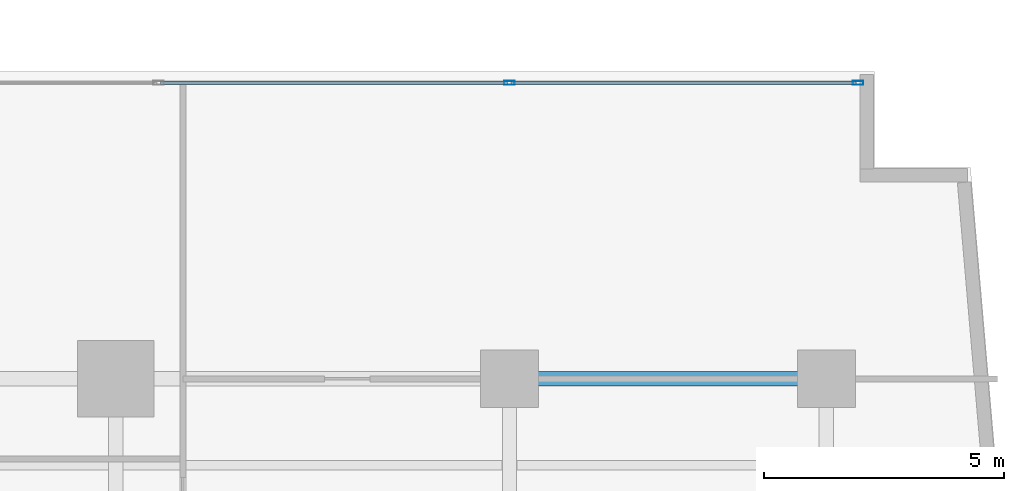
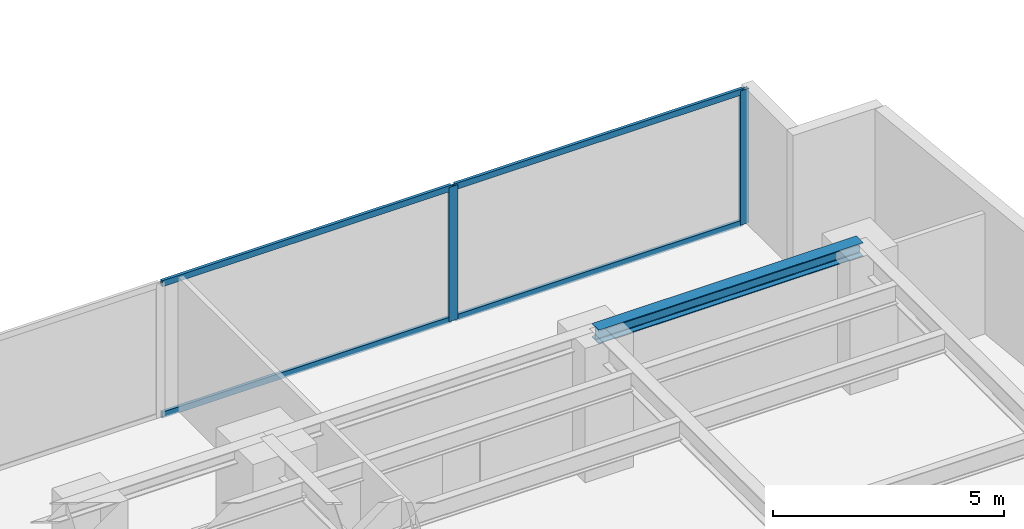
# One storey, part 14 of 31: 6 members, 1 beam, 1 element without a shape of its own.
"""IFC4 building model written with IfcOpenShell, lengths in metres."""

from ifc_helpers import new_model, si_unit, direction, frame, origin, origin_with_axes, origin_2d, place, context, subcontext, project, spatial, hollow_rectangle, i_section, extrude, source, transform, mapped, material, layer, layer_set, material_profile, profile_set, type_object, element, aggregate, save


model = new_model("IFC4")

# Units and contexts
model_context = context("Model", 3, precision=1e-05, world=origin(), true_north=direction((0.0, 1.0)))
body_context = subcontext(model_context, "Body", "Model", "MODEL_VIEW")
ifc_project = project(units=[si_unit("LENGTHUNIT", "METRE"), si_unit("AREAUNIT", "SQUARE_METRE"), si_unit("VOLUMEUNIT", "CUBIC_METRE"), si_unit("PLANEANGLEUNIT", "RADIAN"), si_unit("MASSUNIT", "GRAM", prefix="KILO")], contexts=[model_context])

# Site, building, storey
site_placement = place(None, origin())
site = spatial("IfcSite", under=ifc_project, at=site_placement, CompositionType="ELEMENT")
building_placement = place(site_placement, origin())
building = spatial("IfcBuilding", under=site, at=building_placement, Name="Kolvaren Waterfront Exchange", CompositionType="ELEMENT")
storey_placement = place(building_placement, frame((0.0, 0.0, 67.60009765625)))
storey = spatial("IfcBuildingStorey", under=building, at=storey_placement, Name="L17", CompositionType="ELEMENT", Elevation=67.60009765625)

# Beam
ifc_material_1 = material(Name="Steel S355", Category="steel")
ifc_material_profile_1 = material_profile(ifc_material_1, i_section(OverallWidth=0.300048828125, OverallDepth=0.360107421875, WebThickness=0.012451171875, FlangeThickness=0.0224609375, FilletRadius=0.027099609375, at=origin_2d()), Name="HEB360")
ifc_profile_set_1 = profile_set([ifc_material_profile_1], Name="Steel S355")
beam_type = type_object("IfcBeamType", Name="STR-BM-HEB360", PredefinedType="SPANDREL", material=ifc_profile_set_1)
beam_placement = place(storey_placement, frame((53.800048828125, 17.39990234375, 3.35986328125), z_axis=(1.0, 0.0, 0.0), x_axis=(0.0, 1.0, 0.0)))
element("IfcBeam", 1, at=beam_placement, inside=storey, type_object=beam_type, Name="L17 east-arm spandrel N5", PredefinedType="SPANDREL", context=body_context, shape_type="SweptSolid", body=[
    extrude(i_section(OverallWidth=0.300048828125, OverallDepth=0.360107421875, WebThickness=0.012451171875, FlangeThickness=0.0224609375, FilletRadius=0.027099609375, at=origin_2d()), origin(), (0.0, 0.0, 1.0), 6.599853515625),
])

# Curtain wall, members
ifc_material_2 = material(Name="Anodised bronze aluminium 6063-T6", Category="aluminium")
ifc_layer = layer(ifc_material_2, 0.219970703125, Name="Anodised bronze aluminium 6063-T6")
ifc_layer_set = layer_set([ifc_layer], Name="Anodised bronze aluminium 6063-T6")
curtain_wall_type = type_object("IfcCurtainWallType", Name="ARC-CW-SYS1", PredefinedType="USERDEFINED", material=ifc_layer_set)
curtain_wall_placement = place(storey_placement, origin())
curtain_wall = element("IfcCurtainWall", 2, at=curtain_wall_placement, inside=storey, type_object=curtain_wall_type, Name="L17 stick curtain wall CW1 (CW-L17-EN)", ObjectType="STICK CURTAIN WALL", PredefinedType="USERDEFINED")
ifc_material_3 = material(Name="Anodised aluminium 6063-T6", Category="aluminium")
ifc_material_profile_2 = material_profile(ifc_material_3, hollow_rectangle(XDim=0.080078125, YDim=0.219970703125, WallThickness=0.0048828125, at=origin_2d()), Name="ALU-MUL-220x80x5")
ifc_profile_set_2 = profile_set([ifc_material_profile_2], Name="Anodised aluminium 6063-T6")
member_type_1 = type_object("IfcMemberType", Name="ARC-CWM-220", PredefinedType="MULLION", material=ifc_profile_set_2)
shared_shape_1 = source(origin_with_axes(), body_context, "Body", "SweptSolid", [
    extrude(hollow_rectangle(XDim=0.080078125, YDim=0.219970703125, WallThickness=0.0048828125, at=origin_2d()), origin(), (0.0, 0.0, 1.0), 3.539794921875),
])
member_1_placement = place(storey_placement, frame((53.797607421875, 23.56005859375, 0.0), z_axis=(0.0, 0.0, 1.0), x_axis=(0.0, 1.0, 0.0)))
member_1 = element("IfcMember", 3, at=member_1_placement, type_object=member_type_1, Name="CW1 mullion 4", PredefinedType="MULLION", context=body_context, shape_type="MappedRepresentation", body=[
    mapped(shared_shape_1, transform((0.0, 0.0, 0.0), x_axis=(1.0, 0.0, 0.0), y_axis=(0.0, 1.0, 0.0), z_axis=(0.0, 0.0, 1.0), scale=1.0)),
])
member_2_placement = place(storey_placement, frame((61.06005859375, 23.56005859375, 0.0), z_axis=(0.0, 0.0, 1.0), x_axis=(0.0, 1.0, 0.0)))
member_2 = element("IfcMember", 4, at=member_2_placement, type_object=member_type_1, Name="CW1 mullion 5", PredefinedType="MULLION", context=body_context, shape_type="MappedRepresentation", body=[
    mapped(shared_shape_1, transform((0.0, 0.0, 0.0), x_axis=(1.0, 0.0, 0.0), y_axis=(0.0, 1.0, 0.0), z_axis=(0.0, 0.0, 1.0), scale=1.0)),
])
ifc_material_profile_3 = material_profile(ifc_material_3, hollow_rectangle(XDim=0.074951171875, YDim=0.159912109375, WallThickness=0.00439453125, at=origin_2d()), Name="ALU-TRN-160x75x4.5")
ifc_profile_set_3 = profile_set([ifc_material_profile_3], Name="Anodised aluminium 6063-T6")
member_type_2 = type_object("IfcMemberType", Name="ARC-CWT-160", PredefinedType="USERDEFINED", material=ifc_profile_set_3)
shared_shape_2 = source(origin_with_axes(), body_context, "Body", "SweptSolid", [
    extrude(hollow_rectangle(XDim=0.074951171875, YDim=0.159912109375, WallThickness=0.00439453125, at=origin_2d()), origin(), (0.0, 0.0, 1.0), 7.1826171875),
])
member_3_placement = place(storey_placement, frame((53.83740234375, 23.56005859375, 0.037353515625), z_axis=(1.0, 0.0, 0.0), x_axis=(0.0, 1.0, 0.0)))
member_3 = element("IfcMember", 5, at=member_3_placement, type_object=member_type_2, Name="CW1 transom 4.1", ObjectType="TRANSOM", PredefinedType="USERDEFINED", context=body_context, shape_type="MappedRepresentation", body=[
    mapped(shared_shape_2, transform((0.0, 0.0, 0.0), x_axis=(1.0, 0.0, 0.0), y_axis=(0.0, 1.0, 0.0), z_axis=(0.0, 0.0, 1.0), scale=1.0)),
])
member_4_placement = place(storey_placement, frame((53.83740234375, 23.56005859375, 3.50244140625), z_axis=(1.0, 0.0, 0.0), x_axis=(0.0, 1.0, 0.0)))
member_4 = element("IfcMember", 6, at=member_4_placement, type_object=member_type_2, Name="CW1 transom 4.2", ObjectType="TRANSOM", PredefinedType="USERDEFINED", context=body_context, shape_type="MappedRepresentation", body=[
    mapped(shared_shape_2, transform((0.0, 0.0, 0.0), x_axis=(1.0, 0.0, 0.0), y_axis=(0.0, 1.0, 0.0), z_axis=(0.0, 0.0, 1.0), scale=1.0)),
])
shared_shape_3 = source(origin_with_axes(), body_context, "Body", "SweptSolid", [
    extrude(hollow_rectangle(XDim=0.074951171875, YDim=0.159912109375, WallThickness=0.00439453125, at=origin_2d()), origin(), (0.0, 0.0, 1.0), 7.22265625),
])
member_5_placement = place(storey_placement, frame((46.534912109375, 23.56005859375, 0.037353515625), z_axis=(1.0, 0.0, 0.0), x_axis=(0.0, 1.0, 0.0)))
member_5 = element("IfcMember", 7, at=member_5_placement, type_object=member_type_2, Name="CW1 transom 3.1", ObjectType="TRANSOM", PredefinedType="USERDEFINED", context=body_context, shape_type="MappedRepresentation", body=[
    mapped(shared_shape_3, transform((0.0, 0.0, 0.0), x_axis=(1.0, 0.0, 0.0), y_axis=(0.0, 1.0, 0.0), z_axis=(0.0, 0.0, 1.0), scale=1.0)),
])
member_6_placement = place(storey_placement, frame((46.534912109375, 23.56005859375, 3.50244140625), z_axis=(1.0, 0.0, 0.0), x_axis=(0.0, 1.0, 0.0)))
member_6 = element("IfcMember", 8, at=member_6_placement, type_object=member_type_2, Name="CW1 transom 3.2", ObjectType="TRANSOM", PredefinedType="USERDEFINED", context=body_context, shape_type="MappedRepresentation", body=[
    mapped(shared_shape_3, transform((0.0, 0.0, 0.0), x_axis=(1.0, 0.0, 0.0), y_axis=(0.0, 1.0, 0.0), z_axis=(0.0, 0.0, 1.0), scale=1.0)),
])
aggregate(curtain_wall, [member_1, member_2, member_5, member_6, member_3, member_4])

save(model, "model.ifc")
